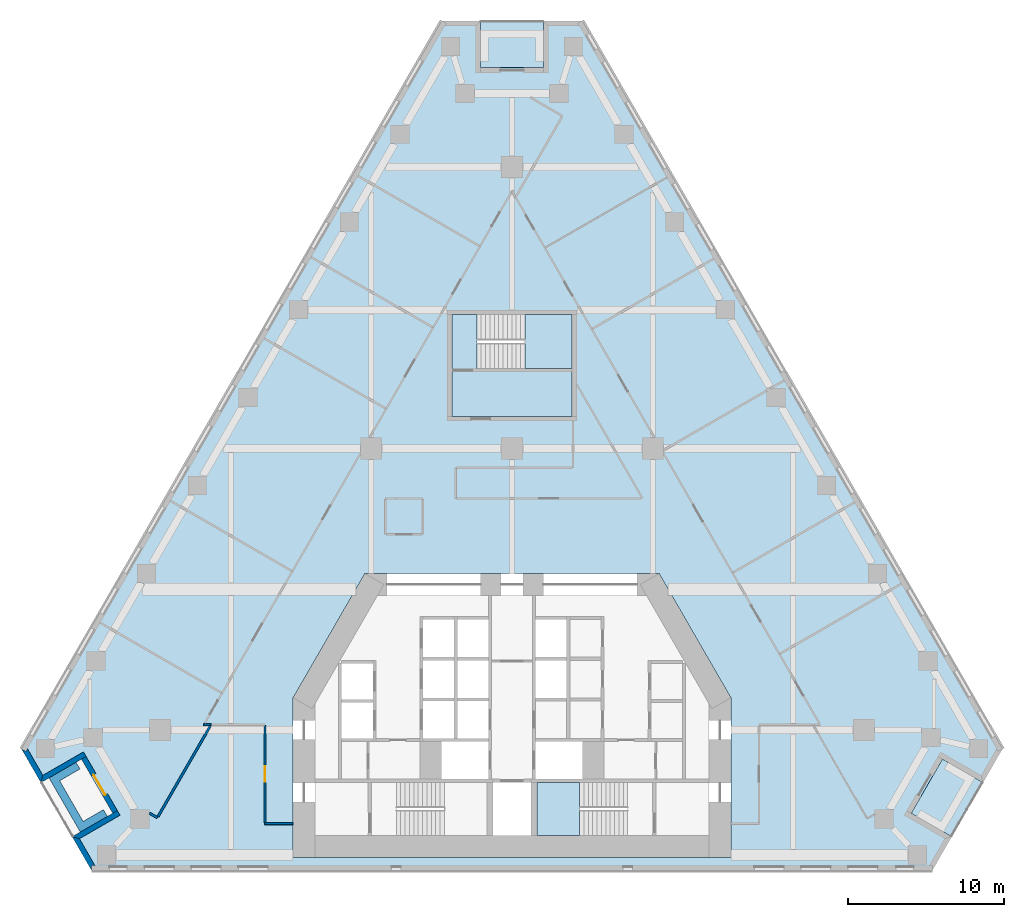
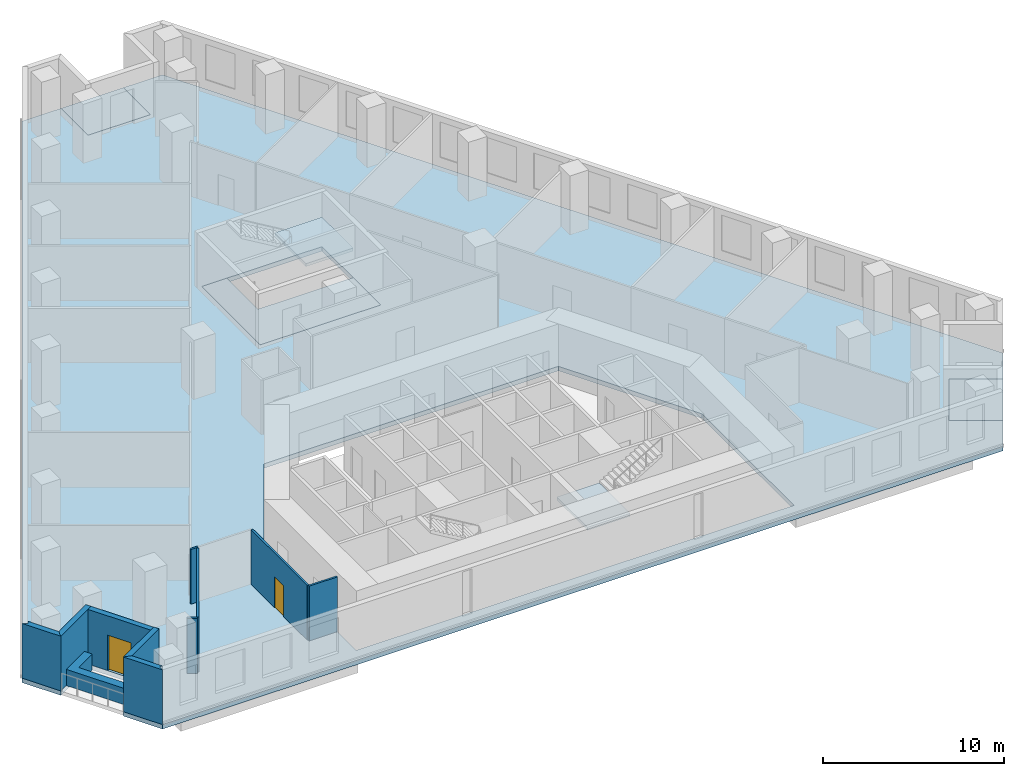
# One storey, part 2 of 9: 11 walls, 6 slabs, 2 doors, 2 openings, 2 elements without a shape of their own.
"""IFC4 building model written with IfcOpenShell, lengths in metres."""

from ifc_helpers import new_model, si_unit, direction, frame, frame_2d, origin, place, context, subcontext, project, spatial, polyline, rectangle, outline, extrude, material, layer, layer_set, type_object, element, fill, aggregate, save


model = new_model("IFC4")

# Units and contexts
model_context = context("Model", 3, precision=1e-05, world=origin(), true_north=direction((0.0, 1.0)))
body_context = subcontext(model_context, "Body", "Model", "MODEL_VIEW")
ifc_project = project(units=[si_unit("LENGTHUNIT", "METRE"), si_unit("AREAUNIT", "SQUARE_METRE"), si_unit("VOLUMEUNIT", "CUBIC_METRE"), si_unit("PLANEANGLEUNIT", "RADIAN"), si_unit("MASSUNIT", "GRAM", prefix="KILO")], contexts=[model_context])

# Site, building, storey
site_placement = place(None, origin())
site = spatial("IfcSite", under=ifc_project, at=site_placement, CompositionType="ELEMENT")
building_placement = place(site_placement, origin())
building = spatial("IfcBuilding", under=site, at=building_placement, Name="Fogline Exchange Tower", CompositionType="ELEMENT")
storey_placement = place(building_placement, frame((0.0, 0.0, 64.89990234375)))
storey = spatial("IfcBuildingStorey", under=building, at=storey_placement, Name="L13", CompositionType="ELEMENT", Elevation=64.89990234375)

# Slabs
ifc_material_1 = material(Name="Concrete C40", Category="concrete")
ifc_layer_1 = layer(ifc_material_1, 0.25)
ifc_layer_set_1 = layer_set([ifc_layer_1], Name="DK1")
slab_type_1 = type_object("IfcSlabType", Name="DK1", PredefinedType="FLOOR", material=ifc_layer_set_1)
slab_1_placement = place(storey_placement, frame((0.0, 0.0, -0.25)))
element("IfcSlab", 1, at=slab_1_placement, inside=storey, type_object=slab_type_1, Name="Balcony L13 SE", PredefinedType="FLOOR", context=body_context, shape_type="SweptSolid", body=[
    extrude(outline(polyline([(28.1328125, 2.1650390625), (30.1328125, 5.629150390625), (27.534912109375, 7.129150390625), (25.534912109375, 3.6650390625), (28.1328125, 2.1650390625)])), origin(), (0.0, 0.0, 1.0), 0.25),
])
slab_2_placement = place(storey_placement, frame((0.0, 0.0, -0.25)))
element("IfcSlab", 2, at=slab_2_placement, inside=storey, type_object=slab_type_1, Name="Balcony L13 N", PredefinedType="FLOOR", context=body_context, shape_type="SweptSolid", body=[
    extrude(outline(polyline([(2.0, 54.356689453125), (-2.0, 54.356689453125), (-2.0, 51.356689453125), (2.0, 51.356689453125), (2.0, 54.356689453125)])), origin(), (0.0, 0.0, 1.0), 0.25),
])
ifc_layer_2 = layer(ifc_material_1, 0.300048828125)
ifc_layer_set_2 = layer_set([ifc_layer_2], Name="S04")
slab_type_2 = type_object("IfcSlabType", Name="S04", PredefinedType="FLOOR", material=ifc_layer_set_2)
slab_3_placement = place(storey_placement, frame((0.0, 0.0, -0.2998046875)))
element("IfcSlab", 3, at=slab_3_placement, inside=storey, type_object=slab_type_2, Name="SLAB L13", PredefinedType="FLOOR", context=body_context, shape_type="SweptSolid", body=[
    extrude(outline(polyline([(-2.0, 54.356689453125), (-4.5, 54.356689453125), (-31.3828125, 7.794189453125), (-30.1328125, 5.629150390625), (-27.534912109375, 7.129150390625), (-25.534912109375, 3.6650390625), (-28.1328125, 2.1650390625), (-26.8828125, 0.0), (26.8828125, 0.0), (28.1328125, 2.1650390625), (25.534912109375, 3.6650390625), (27.534912109375, 7.129150390625), (30.1328125, 5.629150390625), (31.3828125, 7.794189453125), (4.5, 54.356689453125), (2.0, 54.356689453125), (2.0, 51.356689453125), (-2.0, 51.356689453125), (-2.0, 54.356689453125)]), holes=[polyline([(14.0, 11.052490234375), (14.0, 0.85009765625), (-14.0, 0.85009765625), (-14.0, 11.052490234375), (-9.41162109375, 19.0), (9.41162109375, 19.0), (14.0, 11.052490234375)]), polyline([(3.85009765625, 35.556884765625), (3.85009765625, 29.056884765625), (-3.85009765625, 29.056884765625), (-3.85009765625, 35.556884765625), (3.85009765625, 35.556884765625)])]), origin(), (0.0, 0.0, 1.0), 0.2998046875),
])
slab_4_placement = place(storey_placement, frame((0.0, 0.0, -0.2998046875)))
element("IfcSlab", 4, at=slab_4_placement, inside=storey, type_object=slab_type_2, Name="Stair enclosure floor slab", PredefinedType="FLOOR", context=body_context, shape_type="SweptSolid", body=[
    extrude(outline(polyline([(3.85009765625, 29.056884765625), (-3.85009765625, 29.056884765625), (-3.85009765625, 35.556884765625), (-2.239990234375, 35.556884765625), (-2.239990234375, 32.10693359375), (3.85009765625, 32.10693359375), (3.85009765625, 29.056884765625)])), origin(), (0.0, 0.0, 1.0), 0.2998046875),
])

# Stair, slab
stair_type = type_object("IfcStairType", Name="STR24-1667", PredefinedType="HALF_TURN_STAIR", material=ifc_material_1)
stair_1_placement = place(storey_placement, origin())
stair_1 = element("IfcStair", 5, at=stair_1_placement, inside=storey, type_object=stair_type, Name="Stair ST2", PredefinedType="HALF_TURN_STAIR")
ifc_layer_3 = layer(ifc_material_1, 0.199951171875)
ifc_layer_set_3 = layer_set([ifc_layer_3], Name="SL200")
slab_type_3 = type_object("IfcSlabType", Name="SL200", PredefinedType="LANDING", material=ifc_layer_set_3)
slab_5_placement = place(storey_placement, frame((0.0, 0.0, 1.800048828125)))
slab_5 = element("IfcSlab", 6, at=slab_5_placement, type_object=slab_type_3, Name="ST2 landing 1", PredefinedType="LANDING", context=body_context, shape_type="SweptSolid", body=[
    extrude(outline(polyline([(1.60009765625, 2.25), (4.320068359375, 2.25), (4.320068359375, 5.64990234375), (1.60009765625, 5.64990234375), (1.60009765625, 2.25)])), origin(), (0.0, 0.0, 1.0), 0.199951171875),
])
aggregate(stair_1, [slab_5])

stair_2_placement = place(storey_placement, origin())
stair_2 = element("IfcStair", 7, at=stair_2_placement, inside=storey, type_object=stair_type, Name="Stair ST3", PredefinedType="HALF_TURN_STAIR")
slab_6_placement = place(storey_placement, frame((0.0, 0.0, 1.800048828125)))
slab_6 = element("IfcSlab", 8, at=slab_6_placement, type_object=slab_type_3, Name="ST3 landing 1", PredefinedType="LANDING", context=body_context, shape_type="SweptSolid", body=[
    extrude(outline(polyline([(0.830078125, 32.10693359375), (3.85009765625, 32.10693359375), (3.85009765625, 35.556884765625), (0.830078125, 35.556884765625), (0.830078125, 32.10693359375)])), origin(), (0.0, 0.0, 1.0), 0.199951171875),
])
aggregate(stair_2, [slab_6])

# Walls
ifc_material_2 = material(Name="Brick masonry", Category="masonry")
ifc_layer_4 = layer(ifc_material_2, 0.340087890625)
ifc_layer_set_4 = layer_set([ifc_layer_4], Name="FW1")
wall_type_1 = type_object("IfcWallType", Name="FW1", PredefinedType="SOLIDWALL", material=ifc_layer_set_4)
wall_1_placement = place(storey_placement, origin())
element("IfcWall", 9, at=wall_1_placement, inside=storey, type_object=wall_type_1, Name="Brick wall L13 SW-c1", PredefinedType="SOLIDWALL", context=body_context, shape_type="SweptSolid", body=[
    extrude(outline(polyline([(-30.1328125, 5.6279296875), (-31.3837890625, 7.794921875), (-31.383544921875, 7.79541015625), (-31.088623046875, 7.625), (-30.990234375, 7.79541015625), (-30.0078125, 6.09375), (-30.132568359375, 5.6279296875), (-30.1328125, 5.6279296875)])), origin(), (0.0, 0.0, 1.0), 3.7001953125),
])
wall_2_placement = place(storey_placement, origin())
element("IfcWall", 10, at=wall_2_placement, inside=storey, type_object=wall_type_1, Name="Brick wall L13 SW-s1", PredefinedType="SOLIDWALL", context=body_context, shape_type="SweptSolid", body=[
    extrude(outline(polyline([(-27.41015625, 7.594482421875), (-27.239501953125, 7.298828125), (-27.534423828125, 7.128662109375), (-30.133544921875, 5.628173828125), (-30.1337890625, 5.62841796875), (-30.0087890625, 6.093994140625), (-27.41015625, 7.594482421875)])), origin(), (0.0, 0.0, 1.0), 3.7001953125),
])

# Wall, opening, door
wall_3_placement = place(storey_placement, frame((-27.387451171875, 7.214111328125, 0.0), z_axis=(0.0, 0.0, 1.0), x_axis=(0.49999894854, -0.866026010844, 0.0)))
wall_3 = element("IfcWall", 11, at=wall_3_placement, inside=storey, type_object=wall_type_1, Name="Brick wall L13 SW-bk", PredefinedType="SOLIDWALL", context=body_context, shape_type="SweptSolid", body=[
    extrude(rectangle(XDim=4.0, YDim=0.340087890625, at=frame_2d((2.0, 0.0))), origin(), (0.0, 0.0, 1.0), 3.7001953125),
])
opening_1_placement = place(wall_3_placement, frame((1.25, 0.0, 0.0)))
opening_1 = element("IfcOpeningElement", 12, at=opening_1_placement, cuts=wall_3, Name="Opening T04-E021", PredefinedType="OPENING", context=body_context, shape_type="SweptSolid", body=[
    extrude(rectangle(XDim=1.5, YDim=2.39990234375, at=frame_2d((0.75, 1.199951171875))), frame((0.0, 0.18017578125, 0.0), z_axis=(0.0, -1.0, 0.0), x_axis=(1.0, 0.0, 0.0)), (0.0, 0.0, 1.0), 0.360107421875),
])
ifc_material_3 = material(Name="Aluminium and glass", Category="aluminium")
door_type_1 = type_object("IfcDoorType", Name="ED4", OperationType="SINGLE_SWING_LEFT", PredefinedType="DOOR", material=ifc_material_3)
door_1_placement = place(opening_1_placement, frame((1.5, 0.0, 0.0), z_axis=(0.0, 0.0, 1.0), x_axis=(-1.0, 0.0, 0.0)))
door_1 = element("IfcDoor", 13, at=door_1_placement, inside=storey, type_object=door_type_1, Name="Balcony door L13 SW", OperationType="DOUBLE_DOOR_SINGLE_SWING", OverallHeight=2.39990234375, OverallWidth=1.5, PredefinedType="DOOR", context=body_context, shape_type="SweptSolid", body=[
    extrude(rectangle(XDim=1.5, YDim=2.39990234375, at=frame_2d((0.75, 1.199951171875))), frame((0.0, 0.02490234375, 0.0), z_axis=(0.0, -1.0, 0.0), x_axis=(1.0, 0.0, 0.0)), (0.0, 0.0, 1.0), 0.050048828125),
])
fill(opening_1, door_1)

# Walls
wall_4_placement = place(storey_placement, origin())
element("IfcWall", 14, at=wall_4_placement, inside=storey, type_object=wall_type_1, Name="Brick wall L13 SW-s2", PredefinedType="SOLIDWALL", context=body_context, shape_type="SweptSolid", body=[
    extrude(outline(polyline([(-28.134033203125, 2.1650390625), (-25.53515625, 3.66552734375), (-25.239990234375, 3.8359375), (-25.069580078125, 3.540283203125), (-27.668212890625, 2.0400390625), (-28.134033203125, 2.164794921875), (-28.134033203125, 2.1650390625)])), origin(), (0.0, 0.0, 1.0), 3.7001953125),
])
wall_5_placement = place(storey_placement, origin())
element("IfcWall", 15, at=wall_5_placement, inside=storey, type_object=wall_type_1, Name="Brick wall L13 SW-c2", PredefinedType="SOLIDWALL", context=body_context, shape_type="SweptSolid", body=[
    extrude(outline(polyline([(-26.685546875, 0.33935546875), (-26.88232421875, 0.33935546875), (-26.88232421875, -0.0009765625), (-26.8828125, -0.001220703125), (-28.1337890625, 2.165771484375), (-28.1337890625, 2.166015625), (-27.66796875, 2.041015625), (-26.685546875, 0.33935546875)])), origin(), (0.0, 0.0, 1.0), 3.7001953125),
])
ifc_material_4 = material(Name="Concrete C30", Category="concrete")
ifc_layer_5 = layer(ifc_material_4, 0.199951171875)
ifc_layer_set_5 = layer_set([ifc_layer_5], Name="PL1")
wall_type_2 = type_object("IfcWallType", Name="PL1", PredefinedType="USERDEFINED", material=ifc_layer_set_5)
wall_6_placement = place(storey_placement, origin())
element("IfcWall", 16, at=wall_6_placement, inside=storey, type_object=wall_type_2, Name="PLANTER balcony L13 SW", ObjectType="PLANTER", PredefinedType="USERDEFINED", context=body_context, shape_type="SweptSolid", body=[
    extrude(outline(polyline([(-26.131103515625, 3.898193359375), (-27.43017578125, 3.148193359375), (-28.93017578125, 5.74609375), (-27.631103515625, 6.49609375), (-27.881103515625, 6.92919921875), (-29.61328125, 5.92919921875), (-29.36328125, 5.49609375), (-27.61328125, 2.465087890625), (-27.18017578125, 2.715087890625), (-27.18017578125, 2.715087890625), (-25.881103515625, 3.465087890625), (-26.131103515625, 3.898193359375)])), origin(), (0.0, 0.0, 1.0), 1.10009765625),
])
ifc_material_5 = material(Name="Plasterboard corridor partition with mineral wool, 2 layers each side")
ifc_layer_6 = layer(ifc_material_5, 0.125)
ifc_layer_set_6 = layer_set([ifc_layer_6], Name="PW2")
wall_type_3 = type_object("IfcWallType", Name="PW2", PredefinedType="PARTITIONING", material=ifc_layer_set_6)
wall_7_placement = place(storey_placement, frame((-14.0, 3.0, 0.0), z_axis=(0.0, 0.0, 1.0), x_axis=(-1.0, 0.0, 0.0)))
element("IfcWall", 17, at=wall_7_placement, inside=storey, type_object=wall_type_3, Name="wall-L13-W007", PredefinedType="PARTITIONING", context=body_context, shape_type="SweptSolid", body=[
    extrude(rectangle(XDim=1.800048828125, YDim=0.125, at=frame_2d((0.89990234375, 0.0))), origin(), (0.0, 0.0, 1.0), 3.7001953125),
])

# Wall, opening, door
wall_8_placement = place(storey_placement, frame((-15.800048828125, 3.0625, 0.0), z_axis=(0.0, 0.0, 1.0), x_axis=(0.0, 1.0, 0.0)))
wall_8 = element("IfcWall", 18, at=wall_8_placement, inside=storey, type_object=wall_type_3, Name="wall-L13-W008", PredefinedType="PARTITIONING", context=body_context, shape_type="SweptSolid", body=[
    extrude(rectangle(XDim=6.215087890625, YDim=0.125, at=frame_2d((3.107421875, 0.0))), origin(), (0.0, 0.0, 1.0), 3.7001953125),
])
opening_2_placement = place(wall_8_placement, frame((2.607421875, 0.0, 0.0)))
opening_2 = element("IfcOpeningElement", 19, at=opening_2_placement, cuts=wall_8, Name="Opening T04-D004", PredefinedType="OPENING", context=body_context, shape_type="SweptSolid", body=[
    extrude(rectangle(XDim=1.0, YDim=2.10009765625, at=frame_2d((0.5, 1.050048828125))), frame((0.0, 0.072509765625, 0.0), z_axis=(0.0, -1.0, 0.0), x_axis=(1.0, 0.0, 0.0)), (0.0, 0.0, 1.0), 0.14501953125),
])
ifc_material_6 = material(Name="Fire-rated timber door leaf with steel frame", Category="steel")
door_type_2 = type_object("IfcDoorType", Name="D3", OperationType="SINGLE_SWING_LEFT", PredefinedType="DOOR", material=ifc_material_6)
door_2_placement = place(opening_2_placement, origin())
door_2 = element("IfcDoor", 20, at=door_2_placement, inside=storey, type_object=door_type_2, Name="door-L13-D004", OperationType="SINGLE_SWING_LEFT", OverallHeight=2.10009765625, OverallWidth=1.0, PredefinedType="DOOR", context=body_context, shape_type="SweptSolid", body=[
    extrude(rectangle(XDim=1.0, YDim=2.10009765625, at=frame_2d((0.5, 1.050048828125))), frame((0.0, 0.02490234375, 0.0), z_axis=(0.0, -1.0, 0.0), x_axis=(1.0, 0.0, 0.0)), (0.0, 0.0, 1.0), 0.050048828125),
])
fill(opening_2, door_2)

# Walls
wall_9_placement = place(storey_placement, frame((-19.24365234375, 9.340087890625, 0.0), z_axis=(0.0, 0.0, 1.0), x_axis=(-1.0, 0.0, 0.0)))
element("IfcWall", 21, at=wall_9_placement, inside=storey, type_object=wall_type_3, Name="wall-L13-W022", PredefinedType="PARTITIONING", context=body_context, shape_type="SweptSolid", body=[
    extrude(rectangle(XDim=0.4619140625, YDim=0.125, at=frame_2d((0.23095703125, 0.0))), origin(), (0.0, 0.0, 1.0), 3.7001953125),
])
ifc_material_7 = material(Name="Plasterboard demising partition with mineral wool and acoustic board")
ifc_layer_7 = layer(ifc_material_7, 0.14990234375)
ifc_layer_set_7 = layer_set([ifc_layer_7], Name="PW3")
wall_type_4 = type_object("IfcWallType", Name="PW3", PredefinedType="PARTITIONING", material=ifc_layer_set_7)
wall_10_placement = place(storey_placement, frame((-19.301513671875, 9.239501953125, 0.0), z_axis=(0.0, 0.0, 1.0), x_axis=(-0.50000575311, -0.866022082199, 0.0)))
element("IfcWall", 22, at=wall_10_placement, inside=storey, type_object=wall_type_4, Name="wall-L13-W045", PredefinedType="PARTITIONING", context=body_context, shape_type="SweptSolid", body=[
    extrude(rectangle(XDim=6.68896484375, YDim=0.14990234375, at=frame_2d((3.344482421875, 0.0))), origin(), (0.0, 0.0, 1.0), 3.7001953125),
])
wall_11_placement = place(storey_placement, frame((-22.68359375, 3.381591796875, 0.0), z_axis=(0.0, 0.0, 1.0), x_axis=(-0.865924606013, 0.500174546235, 0.0)))
element("IfcWall", 23, at=wall_11_placement, inside=storey, type_object=wall_type_4, Name="wall-L13-W046", PredefinedType="PARTITIONING", context=body_context, shape_type="SweptSolid", body=[
    extrude(rectangle(XDim=0.592041015625, YDim=0.14990234375, at=frame_2d((0.2958984375, 0.0))), origin(), (0.0, 0.0, 1.0), 3.7001953125),
])

save(model, "model.ifc")
